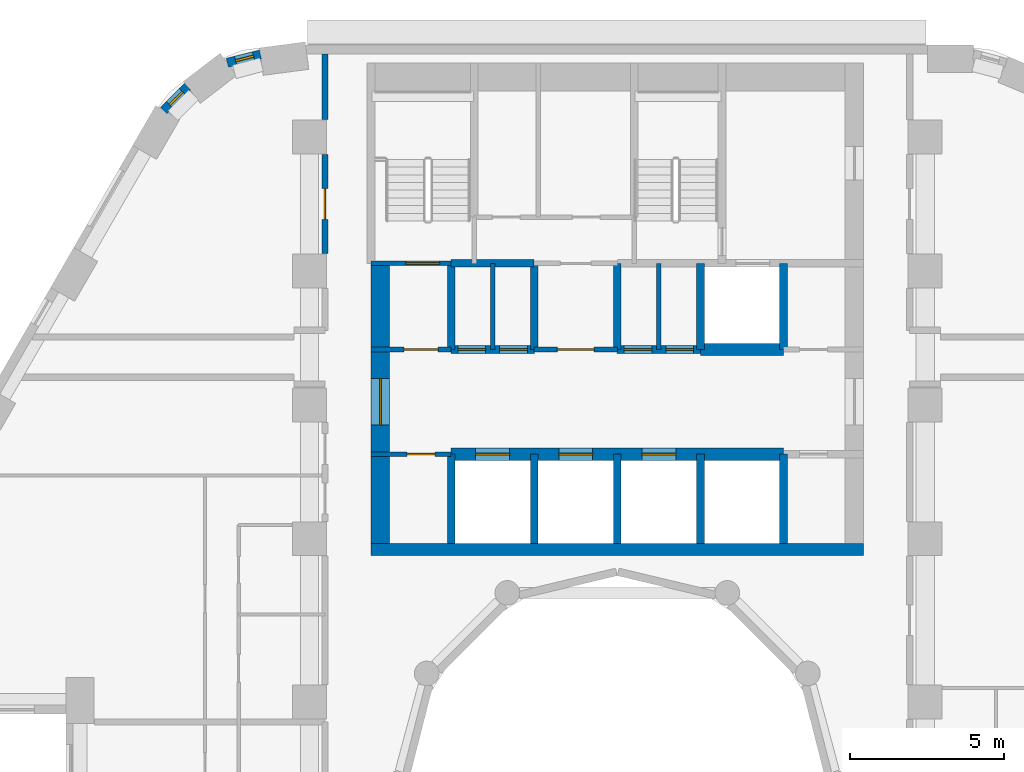
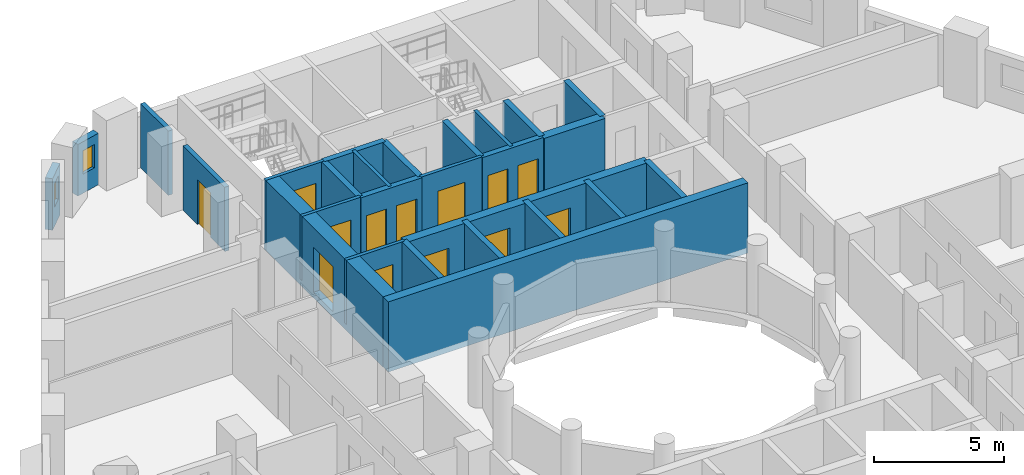
# One storey, part 7 of 12: 27 walls, 13 doors, 2 windows, 15 openings.
"""IFC4 building model written with IfcOpenShell, lengths in metres."""

from ifc_helpers import new_model, si_unit, direction, frame, frame_2d, origin, place, context, subcontext, project, spatial, rectangle, extrude, material, layer, layer_set, type_object, element, fill, save


model = new_model("IFC4")

# Units and contexts
model_context = context("Model", 3, precision=1e-05, world=origin(), true_north=direction((0.0, 1.0)))
body_context = subcontext(model_context, "Body", "Model", "MODEL_VIEW")
ifc_project = project(units=[si_unit("LENGTHUNIT", "METRE"), si_unit("AREAUNIT", "SQUARE_METRE"), si_unit("VOLUMEUNIT", "CUBIC_METRE"), si_unit("PLANEANGLEUNIT", "RADIAN"), si_unit("MASSUNIT", "GRAM", prefix="KILO")], contexts=[model_context])

# Site, building, storey
site_placement = place(None, origin())
site = spatial("IfcSite", under=ifc_project, at=site_placement, CompositionType="ELEMENT")
building_placement = place(site_placement, origin())
building = spatial("IfcBuilding", under=site, at=building_placement, Name="Nakaniwa Court", CompositionType="ELEMENT")
storey_placement = place(building_placement, frame((0.0, 0.0, 54.60009765625)))
storey = spatial("IfcBuildingStorey", under=building, at=storey_placement, Name="L14", CompositionType="ELEMENT", Elevation=54.60009765625)

# Wall, opening, door
ifc_material_1 = material(Name="Acoustic double stud partition")
ifc_layer_1 = layer(ifc_material_1, 0.199951171875)
ifc_layer_set_1 = layer_set([ifc_layer_1], Name="Acoustic double stud partition")
wall_type_1 = type_object("IfcWallType", Name="Acoustic double stud partition 200", PredefinedType="PARTITIONING", material=ifc_layer_set_1)
wall_1_placement = place(storey_placement, frame((70.5, 97.217041015625, 0.0), z_axis=(0.0, 0.0, 1.0), x_axis=(0.0, 1.0, 0.0)))
wall_1 = element("IfcWall", 1, at=wall_1_placement, inside=storey, type_object=wall_type_1, Name="Partition PW-109", PredefinedType="PARTITIONING", context=body_context, shape_type="SweptSolid", body=[
    extrude(rectangle(XDim=3.216064453125, YDim=0.199951171875, at=frame_2d((1.60791015625, 0.0))), origin(), (0.0, 0.0, 1.0), 3.02490234375),
])
opening_1_placement = place(wall_1_placement, frame((1.10791015625, 0.0, 0.0)))
opening_1 = element("IfcOpeningElement", 2, at=opening_1_placement, cuts=wall_1, Name="Opening D-02-04", PredefinedType="OPENING", context=body_context, shape_type="SweptSolid", body=[
    extrude(rectangle(XDim=1.0, YDim=2.10009765625, at=frame_2d((0.5, 1.050048828125))), frame((0.0, 0.10986328125, 0.0), z_axis=(0.0, -1.0, 0.0), x_axis=(1.0, 0.0, 0.0)), (0.0, 0.0, 1.0), 0.219970703125),
])
ifc_material_2 = material(Name="Solid core timber door set, black veneer", Category="wood")
door_type_1 = type_object("IfcDoorType", Name="Internal door 1000", OperationType="NOTDEFINED", PredefinedType="DOOR", material=ifc_material_2)
door_1_placement = place(opening_1_placement, origin())
door_1 = element("IfcDoor", 3, at=door_1_placement, inside=storey, type_object=door_type_1, Name="Door D-02-04 L14-052", OperationType="SINGLE_SWING_LEFT", OverallHeight=2.10009765625, OverallWidth=1.0, PredefinedType="DOOR", context=body_context, shape_type="SweptSolid", body=[
    extrude(rectangle(XDim=1.0, YDim=2.10009765625, at=frame_2d((0.5, 1.050048828125))), frame((0.0, 0.02490234375, 0.0), z_axis=(0.0, -1.0, 0.0), x_axis=(1.0, 0.0, 0.0)), (0.0, 0.0, 1.0), 0.050048828125),
])
fill(opening_1, door_1)

# Wall
wall_2_placement = place(storey_placement, frame((70.5, 101.56689453125, 0.0), z_axis=(0.0, 0.0, 1.0), x_axis=(0.0, 1.0, 0.0)))
element("IfcWall", 4, at=wall_2_placement, inside=storey, type_object=wall_type_1, Name="Partition PW-110", PredefinedType="PARTITIONING", context=body_context, shape_type="SweptSolid", body=[
    extrude(rectangle(XDim=2.133056640625, YDim=0.199951171875, at=frame_2d((1.06640625, 0.0))), origin(), (0.0, 0.0, 1.0), 3.02490234375),
])

# Wall, opening, window
ifc_material_3 = material(Name="Charcoal ceramic cladding")
ifc_layer_2 = layer(ifc_material_3, 0.02, Name="Ceramic cladding")
ifc_material_4 = material(Name="Ventilated air cavity")
ifc_layer_3 = layer(ifc_material_4, 0.04, ventilated=True, Name="Ventilated cavity")
ifc_material_5 = material(Name="Mineral wool insulation")
ifc_layer_4 = layer(ifc_material_5, 0.1, Name="Insulation")
ifc_material_6 = material(Name="Cement bonded sheathing board")
ifc_layer_5 = layer(ifc_material_6, 0.012, Name="Sheathing")
ifc_material_7 = material(Name="Cold-formed galvanised stud frame with mineral wool infill")
ifc_layer_6 = layer(ifc_material_7, 0.1, Name="Stud frame")
ifc_material_8 = material(Name="Fire-rated gypsum plasterboard lining")
ifc_layer_7 = layer(ifc_material_8, 0.028, Name="Lining")
ifc_layer_set_2 = layer_set([ifc_layer_2, ifc_layer_3, ifc_layer_4, ifc_layer_5, ifc_layer_6, ifc_layer_7], Name="Charcoal ceramic faced external wall system")
wall_type_2 = type_object("IfcWallType", Name="Black ceramic faced external wall 300", PredefinedType="SOLIDWALL", material=ifc_layer_set_2)
wall_3_placement = place(storey_placement, frame((68.4052734375, 103.68310546875, 0.0), z_axis=(0.0, 0.0, 1.0), x_axis=(-0.969766298956, -0.244035500304, 0.0)))
wall_3 = element("IfcWall", 5, at=wall_3_placement, inside=storey, type_object=wall_type_2, Name="L14 external wall 09", PredefinedType="SOLIDWALL", context=body_context, shape_type="SweptSolid", body=[
    extrude(rectangle(XDim=1.110595703125, YDim=0.300048828125, at=frame_2d((0.55517578125, 0.0))), origin(), (0.0, 0.0, 1.0), 2.4248046875),
])
opening_2_placement = place(wall_3_placement, frame((0.230712890625, 0.0, 0.89990234375)))
opening_2 = element("IfcOpeningElement", 6, at=opening_2_placement, cuts=wall_3, Name="Opening W8.07", PredefinedType="OPENING", context=body_context, shape_type="SweptSolid", body=[
    extrude(rectangle(XDim=0.60009765625, YDim=1.10009765625, at=frame_2d((0.300048828125, 0.550048828125))), frame((0.0, 0.159912109375, 0.0), z_axis=(0.0, -1.0, 0.0), x_axis=(1.0, 0.0, 0.0)), (0.0, 0.0, 1.0), 0.320068359375),
])
ifc_material_9 = material(Name="Black anodised aluminium frame with dark low-E laminated double glazing", Category="aluminium")
window_type = type_object("IfcWindowType", Name="Dark glass window 600x1100 sill 900", PartitioningType="SINGLE_PANEL", PredefinedType="WINDOW", material=ifc_material_9)
window_1_placement = place(opening_2_placement, origin())
window_1 = element("IfcWindow", 7, at=window_1_placement, inside=storey, type_object=window_type, Name="L14 habitable room window 09-0", OverallHeight=1.10009765625, OverallWidth=0.60009765625, PartitioningType="SINGLE_PANEL", PredefinedType="WINDOW", context=body_context, shape_type="SweptSolid", body=[
    extrude(rectangle(XDim=0.60009765625, YDim=1.10009765625, at=frame_2d((0.300048828125, 0.550048828125))), frame((0.0, 0.030029296875, 0.0), z_axis=(0.0, -1.0, 0.0), x_axis=(1.0, 0.0, 0.0)), (0.0, 0.0, 1.0), 0.06005859375),
])
fill(opening_2, window_1)

wall_4_placement = place(storey_placement, frame((66.04150390625, 102.637451171875, 0.0), z_axis=(0.0, 0.0, 1.0), x_axis=(-0.708892395813, -0.705316646024, 0.0)))
wall_4 = element("IfcWall", 8, at=wall_4_placement, inside=storey, type_object=wall_type_2, Name="L14 external wall 10", PredefinedType="SOLIDWALL", context=body_context, shape_type="SweptSolid", body=[
    extrude(rectangle(XDim=1.092529296875, YDim=0.300048828125, at=frame_2d((0.54638671875, 0.0))), origin(), (0.0, 0.0, 1.0), 2.4248046875),
])
opening_3_placement = place(wall_4_placement, frame((0.23583984375, 0.0, 0.89990234375)))
opening_3 = element("IfcOpeningElement", 9, at=opening_3_placement, cuts=wall_4, Name="Opening W8.08", PredefinedType="OPENING", context=body_context, shape_type="SweptSolid", body=[
    extrude(rectangle(XDim=0.60009765625, YDim=1.10009765625, at=frame_2d((0.300048828125, 0.550048828125))), frame((0.0, 0.159912109375, 0.0), z_axis=(0.0, -1.0, 0.0), x_axis=(1.0, 0.0, 0.0)), (0.0, 0.0, 1.0), 0.320068359375),
])
window_2_placement = place(opening_3_placement, origin())
window_2 = element("IfcWindow", 10, at=window_2_placement, inside=storey, type_object=window_type, Name="L14 habitable room window 10-0", OverallHeight=1.10009765625, OverallWidth=0.60009765625, PartitioningType="SINGLE_PANEL", PredefinedType="WINDOW", context=body_context, shape_type="SweptSolid", body=[
    extrude(rectangle(XDim=0.60009765625, YDim=1.10009765625, at=frame_2d((0.300048828125, 0.550048828125))), frame((0.0, 0.030029296875, 0.0), z_axis=(0.0, -1.0, 0.0), x_axis=(1.0, 0.0, 0.0)), (0.0, 0.0, 1.0), 0.06005859375),
])
fill(opening_3, window_2)

# Wall, opening, door
ifc_material_10 = material(Name="Blockwork partition", Category="masonry")
ifc_layer_8 = layer(ifc_material_10, 0.14990234375)
ifc_layer_set_3 = layer_set([ifc_layer_8], Name="Blockwork partition")
wall_type_3 = type_object("IfcWallType", Name="Blockwork partition 150", PredefinedType="PARTITIONING", material=ifc_layer_set_3)
wall_5_placement = place(storey_placement, frame((74.60009765625, 90.699951171875, 0.0), z_axis=(0.0, 0.0, 1.0), x_axis=(-1.0, 0.0, 0.0)))
wall_5 = element("IfcWall", 11, at=wall_5_placement, inside=storey, type_object=wall_type_3, Name="Partition PW-003", PredefinedType="PARTITIONING", context=body_context, shape_type="SweptSolid", body=[
    extrude(rectangle(XDim=2.60009765625, YDim=0.14990234375, at=frame_2d((1.300048828125, 0.0))), origin(), (0.0, 0.0, 1.0), 3.02490234375),
])
opening_4_placement = place(wall_5_placement, frame((0.52490234375, 0.0, 0.0)))
opening_4 = element("IfcOpeningElement", 12, at=opening_4_placement, cuts=wall_5, Name="Opening D-05-01", PredefinedType="OPENING", context=body_context, shape_type="SweptSolid", body=[
    extrude(rectangle(XDim=0.89990234375, YDim=2.10009765625, at=frame_2d((0.449951171875, 1.050048828125))), frame((0.0, 0.0849609375, 0.0), z_axis=(0.0, -1.0, 0.0), x_axis=(1.0, 0.0, 0.0)), (0.0, 0.0, 1.0), 0.169921875),
])
ifc_material_11 = material(Name="Fire rated steel door set", Category="steel")
door_type_2 = type_object("IfcDoorType", Name="Service room door 900", OperationType="NOTDEFINED", PredefinedType="DOOR", material=ifc_material_11)
door_2_placement = place(opening_4_placement, origin())
door_2 = element("IfcDoor", 13, at=door_2_placement, inside=storey, type_object=door_type_2, Name="Door D-05-01 L14-001", OperationType="SINGLE_SWING_RIGHT", OverallHeight=2.10009765625, OverallWidth=0.89990234375, PredefinedType="DOOR", context=body_context, shape_type="SweptSolid", body=[
    extrude(rectangle(XDim=0.89990234375, YDim=2.10009765625, at=frame_2d((0.449951171875, 1.050048828125))), frame((0.0, 0.02490234375, 0.0), z_axis=(0.0, -1.0, 0.0), x_axis=(1.0, 0.0, 0.0)), (0.0, 0.0, 1.0), 0.050048828125),
])
fill(opening_4, door_2)

wall_6_placement = place(storey_placement, frame((72.0, 94.10009765625, 0.0), z_axis=(0.0, 0.0, 1.0), x_axis=(1.0, 0.0, 0.0)))
wall_6 = element("IfcWall", 14, at=wall_6_placement, inside=storey, type_object=wall_type_3, Name="Partition PW-016", PredefinedType="PARTITIONING", context=body_context, shape_type="SweptSolid", body=[
    extrude(rectangle(XDim=2.60302734375, YDim=0.14990234375, at=frame_2d((1.301513671875, 0.0))), origin(), (0.0, 0.0, 1.0), 3.02490234375),
])
opening_5_placement = place(wall_6_placement, frame((1.074951171875, 0.0, 0.0)))
opening_5 = element("IfcOpeningElement", 15, at=opening_5_placement, cuts=wall_6, Name="Opening D-08-01", PredefinedType="OPENING", context=body_context, shape_type="SweptSolid", body=[
    extrude(rectangle(XDim=1.10009765625, YDim=2.10009765625, at=frame_2d((0.550048828125, 1.050048828125))), frame((0.0, 0.0849609375, 0.0), z_axis=(0.0, -1.0, 0.0), x_axis=(1.0, 0.0, 0.0)), (0.0, 0.0, 1.0), 0.169921875),
])
door_type_3 = type_object("IfcDoorType", Name="Stair lobby door 1100", OperationType="NOTDEFINED", PredefinedType="DOOR", material=ifc_material_11)
door_3_placement = place(opening_5_placement, origin())
door_3 = element("IfcDoor", 16, at=door_3_placement, inside=storey, type_object=door_type_3, Name="Door D-08-01 L14-003", OperationType="SINGLE_SWING_RIGHT", OverallHeight=2.10009765625, OverallWidth=1.10009765625, PredefinedType="DOOR", context=body_context, shape_type="SweptSolid", body=[
    extrude(rectangle(XDim=1.10009765625, YDim=2.10009765625, at=frame_2d((0.550048828125, 1.050048828125))), frame((0.0, 0.02490234375, 0.0), z_axis=(0.0, -1.0, 0.0), x_axis=(1.0, 0.0, 0.0)), (0.0, 0.0, 1.0), 0.050048828125),
])
fill(opening_5, door_3)

wall_7_placement = place(storey_placement, frame((77.297119140625, 94.10009765625, 0.0), z_axis=(0.0, 0.0, 1.0), x_axis=(1.0, 0.0, 0.0)))
wall_7 = element("IfcWall", 17, at=wall_7_placement, inside=storey, type_object=wall_type_3, Name="Partition PW-017", PredefinedType="PARTITIONING", context=body_context, shape_type="SweptSolid", body=[
    extrude(rectangle(XDim=2.705810546875, YDim=0.14990234375, at=frame_2d((1.35302734375, 0.0))), origin(), (0.0, 0.0, 1.0), 3.02490234375),
])
opening_6_placement = place(wall_7_placement, frame((0.7529296875, 0.0, 0.0)))
opening_6 = element("IfcOpeningElement", 18, at=opening_6_placement, cuts=wall_7, Name="Opening D-06-01", PredefinedType="OPENING", context=body_context, shape_type="SweptSolid", body=[
    extrude(rectangle(XDim=1.199951171875, YDim=2.10009765625, at=frame_2d((0.60009765625, 1.050048828125))), frame((0.0, 0.0849609375, 0.0), z_axis=(0.0, -1.0, 0.0), x_axis=(1.0, 0.0, 0.0)), (0.0, 0.0, 1.0), 0.169921875),
])
ifc_material_12 = material(Name="Fire rated steel double door set", Category="steel")
door_type_4 = type_object("IfcDoorType", Name="Service passage double door 1200", OperationType="NOTDEFINED", PredefinedType="DOOR", material=ifc_material_12)
door_4_placement = place(opening_6_placement, origin())
door_4 = element("IfcDoor", 19, at=door_4_placement, inside=storey, type_object=door_type_4, Name="Door D-06-01 L14-006", OperationType="DOUBLE_DOOR_SINGLE_SWING", OverallHeight=2.10009765625, OverallWidth=1.199951171875, PredefinedType="DOOR", context=body_context, shape_type="SweptSolid", body=[
    extrude(rectangle(XDim=1.199951171875, YDim=2.10009765625, at=frame_2d((0.60009765625, 1.050048828125))), frame((0.0, 0.02490234375, 0.0), z_axis=(0.0, -1.0, 0.0), x_axis=(1.0, 0.0, 0.0)), (0.0, 0.0, 1.0), 0.050048828125),
])
fill(opening_6, door_4)

# Walls
for number, where, z_axis, x_axis, name in (
    (20, (75.949951171875, 94.10009765625, 0.0), (0.0, 0.0, 1.0), (0.0, 1.0, 0.0), "Partition PW-023"),
    (21, (81.35009765625, 94.10009765625, 0.0), (0.0, 0.0, 1.0), (0.0, 1.0, 0.0), "Partition PW-027"),
):
    element("IfcWall", number, at=place(storey_placement, frame(where, z_axis=z_axis, x_axis=x_axis)), inside=storey, type_object=wall_type_3, Name=name, PredefinedType="PARTITIONING", context=body_context, shape_type="SweptSolid", body=[
        extrude(rectangle(XDim=2.7998046875, YDim=0.14990234375, at=frame_2d((1.39990234375, 0.0))), origin(), (0.0, 0.0, 1.0), 3.02490234375),
    ])

# Wall, opening, door
ifc_material_13 = material(Name="Concrete C100/115", Category="concrete")
ifc_layer_9 = layer(ifc_material_13, 0.60009765625)
ifc_layer_set_4 = layer_set([ifc_layer_9], Name="Concrete C100/115")
wall_type_4 = type_object("IfcWallType", Name="Concrete core side wall 600 C100", PredefinedType="SHEAR", material=ifc_layer_set_4)
wall_8_placement = place(storey_placement, frame((72.300048828125, 87.800048828125, -0.275146484375), z_axis=(0.0, 0.0, 1.0), x_axis=(0.0, 1.0, 0.0)))
wall_8 = element("IfcWall", 22, at=wall_8_placement, inside=storey, type_object=wall_type_4, Name="Core wall SW-04", PredefinedType="SHEAR", context=body_context, shape_type="SweptSolid", body=[
    extrude(rectangle(XDim=9.099853515625, YDim=0.60009765625, at=frame_2d((4.5498046875, 0.0))), origin(), (0.0, 0.0, 1.0), 3.300048828125),
])
opening_7_placement = place(wall_8_placement, frame((3.85009765625, 0.0, 0.27490234375)))
opening_7 = element("IfcOpeningElement", 23, at=opening_7_placement, cuts=wall_8, Name="Opening D-07-02", PredefinedType="OPENING", context=body_context, shape_type="SweptSolid", body=[
    extrude(rectangle(XDim=1.5, YDim=2.10009765625, at=frame_2d((0.75, 1.050048828125))), frame((0.0, 0.31005859375, 0.0), z_axis=(0.0, -1.0, 0.0), x_axis=(1.0, 0.0, 0.0)), (0.0, 0.0, 1.0), 0.6201171875),
])
ifc_material_14 = material(Name="Glazed fire rated steel double door set", Category="steel")
door_type_5 = type_object("IfcDoorType", Name="Lobby double door 1500", OperationType="NOTDEFINED", PredefinedType="DOOR", material=ifc_material_14)
door_5_placement = place(opening_7_placement, origin())
door_5 = element("IfcDoor", 24, at=door_5_placement, inside=storey, type_object=door_type_5, Name="Door D-07-02 L14-057", OperationType="DOUBLE_DOOR_SINGLE_SWING", OverallHeight=2.10009765625, OverallWidth=1.5, PredefinedType="DOOR", context=body_context, shape_type="SweptSolid", body=[
    extrude(rectangle(XDim=1.5, YDim=2.10009765625, at=frame_2d((0.75, 1.050048828125))), frame((0.0, 0.02490234375, 0.0), z_axis=(0.0, -1.0, 0.0), x_axis=(1.0, 0.0, 0.0)), (0.0, 0.0, 1.0), 0.050048828125),
])
fill(opening_7, door_5)

# Wall, openings, doors
ifc_layer_10 = layer(ifc_material_13, 0.39990234375)
ifc_layer_set_5 = layer_set([ifc_layer_10], Name="Concrete C100/115")
wall_type_5 = type_object("IfcWallType", Name="Concrete core spine wall 400 C100", PredefinedType="SHEAR", material=ifc_layer_set_5)
wall_9_placement = place(storey_placement, frame((74.60009765625, 90.699951171875, -0.275146484375), z_axis=(0.0, 0.0, 1.0), x_axis=(1.0, 0.0, 0.0)))
wall_9 = element("IfcWall", 25, at=wall_9_placement, inside=storey, type_object=wall_type_5, Name="Core wall SW-07", PredefinedType="SHEAR", context=body_context, shape_type="SweptSolid", body=[
    extrude(rectangle(XDim=10.7998046875, YDim=0.39990234375, at=frame_2d((5.39990234375, 0.0))), origin(), (0.0, 0.0, 1.0), 3.300048828125),
])
opening_8_placement = place(wall_9_placement, frame((0.800048828125, 0.0, 0.27490234375)))
opening_8 = element("IfcOpeningElement", 26, at=opening_8_placement, cuts=wall_9, Name="Opening LD01", PredefinedType="OPENING", context=body_context, shape_type="SweptSolid", body=[
    extrude(rectangle(XDim=1.10009765625, YDim=2.10009765625, at=frame_2d((0.550048828125, 1.050048828125))), frame((0.0, 0.2099609375, 0.0), z_axis=(0.0, -1.0, 0.0), x_axis=(1.0, 0.0, 0.0)), (0.0, 0.0, 1.0), 0.419921875),
])
opening_9_placement = place(wall_9_placement, frame((3.5, 0.0, 0.27490234375)))
opening_9 = element("IfcOpeningElement", 27, at=opening_9_placement, cuts=wall_9, Name="Opening LD02", PredefinedType="OPENING", context=body_context, shape_type="SweptSolid", body=[
    extrude(rectangle(XDim=1.10009765625, YDim=2.10009765625, at=frame_2d((0.550048828125, 1.050048828125))), frame((0.0, 0.2099609375, 0.0), z_axis=(0.0, -1.0, 0.0), x_axis=(1.0, 0.0, 0.0)), (0.0, 0.0, 1.0), 0.419921875),
])
opening_10_placement = place(wall_9_placement, frame((6.199951171875, 0.0, 0.27490234375)))
opening_10 = element("IfcOpeningElement", 28, at=opening_10_placement, cuts=wall_9, Name="Opening LD03", PredefinedType="OPENING", context=body_context, shape_type="SweptSolid", body=[
    extrude(rectangle(XDim=1.10009765625, YDim=2.10009765625, at=frame_2d((0.550048828125, 1.050048828125))), frame((0.0, 0.2099609375, 0.0), z_axis=(0.0, -1.0, 0.0), x_axis=(1.0, 0.0, 0.0)), (0.0, 0.0, 1.0), 0.419921875),
])
ifc_material_15 = material(Name="Stainless steel sliding lift landing door", Category="steel")
door_type_6 = type_object("IfcDoorType", Name="Lift landing door 1100", OperationType="NOTDEFINED", PredefinedType="DOOR", material=ifc_material_15)
door_6_placement = place(opening_8_placement, origin())
door_6 = element("IfcDoor", 29, at=door_6_placement, inside=storey, type_object=door_type_6, Name="Lift landing door LD01 L14-001", OperationType="SLIDING_TO_LEFT", OverallHeight=2.10009765625, OverallWidth=1.10009765625, PredefinedType="DOOR", context=body_context, shape_type="SweptSolid", body=[
    extrude(rectangle(XDim=1.10009765625, YDim=2.10009765625, at=frame_2d((0.550048828125, 1.050048828125))), frame((0.0, 0.02490234375, 0.0), z_axis=(0.0, -1.0, 0.0), x_axis=(1.0, 0.0, 0.0)), (0.0, 0.0, 1.0), 0.050048828125),
])
fill(opening_8, door_6)
door_7_placement = place(opening_9_placement, origin())
door_7 = element("IfcDoor", 30, at=door_7_placement, inside=storey, type_object=door_type_6, Name="Lift landing door LD02 L14-002", OperationType="SLIDING_TO_LEFT", OverallHeight=2.10009765625, OverallWidth=1.10009765625, PredefinedType="DOOR", context=body_context, shape_type="SweptSolid", body=[
    extrude(rectangle(XDim=1.10009765625, YDim=2.10009765625, at=frame_2d((0.550048828125, 1.050048828125))), frame((0.0, 0.02490234375, 0.0), z_axis=(0.0, -1.0, 0.0), x_axis=(1.0, 0.0, 0.0)), (0.0, 0.0, 1.0), 0.050048828125),
])
fill(opening_9, door_7)
door_8_placement = place(opening_10_placement, origin())
door_8 = element("IfcDoor", 31, at=door_8_placement, inside=storey, type_object=door_type_6, Name="Lift landing door LD03 L14-003", OperationType="SLIDING_TO_LEFT", OverallHeight=2.10009765625, OverallWidth=1.10009765625, PredefinedType="DOOR", context=body_context, shape_type="SweptSolid", body=[
    extrude(rectangle(XDim=1.10009765625, YDim=2.10009765625, at=frame_2d((0.550048828125, 1.050048828125))), frame((0.0, 0.02490234375, 0.0), z_axis=(0.0, -1.0, 0.0), x_axis=(1.0, 0.0, 0.0)), (0.0, 0.0, 1.0), 0.050048828125),
])
fill(opening_10, door_8)

# Wall
wall_10_placement = place(storey_placement, frame((82.697021484375, 94.10009765625, -0.275146484375), z_axis=(0.0, 0.0, 1.0), x_axis=(1.0, 0.0, 0.0)))
element("IfcWall", 32, at=wall_10_placement, inside=storey, type_object=wall_type_5, Name="Core wall SW-21", PredefinedType="SHEAR", context=body_context, shape_type="SweptSolid", body=[
    extrude(rectangle(XDim=2.7060546875, YDim=0.39990234375, at=frame_2d((1.35302734375, 0.0))), origin(), (0.0, 0.0, 1.0), 3.300048828125),
])

# Wall, opening, door
ifc_layer_11 = layer(ifc_material_13, 0.14990234375)
ifc_layer_set_6 = layer_set([ifc_layer_11], Name="Concrete C100/115")
wall_type_6 = type_object("IfcWallType", Name="Concrete core wall 150 C100", PredefinedType="SHEAR", material=ifc_layer_set_6)
wall_11_placement = place(storey_placement, frame((74.60009765625, 96.89990234375, -0.275146484375), z_axis=(0.0, 0.0, 1.0), x_axis=(-1.0, 0.0, 0.0)))
wall_11 = element("IfcWall", 33, at=wall_11_placement, inside=storey, type_object=wall_type_6, Name="Core wall SW-22", PredefinedType="SHEAR", context=body_context, shape_type="SweptSolid", body=[
    extrude(rectangle(XDim=2.60009765625, YDim=0.14990234375, at=frame_2d((1.300048828125, 0.0))), origin(), (0.0, 0.0, 1.0), 3.300048828125),
])
opening_11_placement = place(wall_11_placement, frame((0.3701171875, 0.0, 0.27490234375)))
opening_11 = element("IfcOpeningElement", 34, at=opening_11_placement, cuts=wall_11, Name="Opening D-09-01", PredefinedType="OPENING", context=body_context, shape_type="SweptSolid", body=[
    extrude(rectangle(XDim=1.10009765625, YDim=2.10009765625, at=frame_2d((0.550048828125, 1.050048828125))), frame((0.0, 0.0849609375, 0.0), z_axis=(0.0, -1.0, 0.0), x_axis=(1.0, 0.0, 0.0)), (0.0, 0.0, 1.0), 0.169921875),
])
door_type_7 = type_object("IfcDoorType", Name="Stair door 1100", OperationType="NOTDEFINED", PredefinedType="DOOR", material=ifc_material_11)
door_9_placement = place(opening_11_placement, origin())
door_9 = element("IfcDoor", 35, at=door_9_placement, inside=storey, type_object=door_type_7, Name="Door D-09-01 L14-013", OperationType="SINGLE_SWING_LEFT", OverallHeight=2.10009765625, OverallWidth=1.10009765625, PredefinedType="DOOR", context=body_context, shape_type="SweptSolid", body=[
    extrude(rectangle(XDim=1.10009765625, YDim=2.10009765625, at=frame_2d((0.550048828125, 1.050048828125))), frame((0.0, 0.02490234375, 0.0), z_axis=(0.0, -1.0, 0.0), x_axis=(1.0, 0.0, 0.0)), (0.0, 0.0, 1.0), 0.050048828125),
])
fill(opening_11, door_9)

# Walls
ifc_layer_12 = layer(ifc_material_13, 0.39990234375)
ifc_layer_set_7 = layer_set([ifc_layer_12], Name="Concrete C100/115")
wall_type_7 = type_object("IfcWallType", Name="Concrete core well wall 400 C100", PredefinedType="SHEAR", material=ifc_layer_set_7)
wall_12_placement = place(storey_placement, frame((72.00390625, 87.60009765625, -0.275146484375), z_axis=(0.0, 0.0, 1.0), x_axis=(1.0, 0.0, 0.0)))
element("IfcWall", 36, at=wall_12_placement, inside=storey, type_object=wall_type_7, Name="Core wall SW-133", PredefinedType="SHEAR", context=body_context, shape_type="SweptSolid", body=[
    extrude(rectangle(XDim=15.9921875, YDim=0.39990234375, at=frame_2d((7.99609375, 0.0))), origin(), (0.0, 0.0, 1.0), 3.300048828125),
])
ifc_layer_13 = layer(ifc_material_13, 0.25)
ifc_layer_set_8 = layer_set([ifc_layer_13], Name="Concrete C100/115")
wall_type_8 = type_object("IfcWallType", Name="Concrete shaft wall 250 C100", PredefinedType="SHEAR", material=ifc_layer_set_8)
wall_13_placement = place(storey_placement, frame((74.60009765625, 87.800048828125, -0.275146484375), z_axis=(0.0, 0.0, 1.0), x_axis=(0.0, 1.0, 0.0)))
element("IfcWall", 37, at=wall_13_placement, inside=storey, type_object=wall_type_8, Name="Core wall SW-01", PredefinedType="SHEAR", context=body_context, shape_type="SweptSolid", body=[
    extrude(rectangle(XDim=2.89990234375, YDim=0.25, at=frame_2d((1.449951171875, 0.0))), origin(), (0.0, 0.0, 1.0), 3.300048828125),
])
wall_14_placement = place(storey_placement, frame((74.60009765625, 94.10009765625, -0.275146484375), z_axis=(0.0, 0.0, 1.0), x_axis=(0.0, 1.0, 0.0)))
element("IfcWall", 38, at=wall_14_placement, inside=storey, type_object=wall_type_8, Name="Core wall SW-02", PredefinedType="SHEAR", context=body_context, shape_type="SweptSolid", body=[
    extrude(rectangle(XDim=2.7998046875, YDim=0.25, at=frame_2d((1.39990234375, 0.0))), origin(), (0.0, 0.0, 1.0), 3.300048828125),
])
wall_15_placement = place(storey_placement, frame((77.300048828125, 87.800048828125, -0.275146484375), z_axis=(0.0, 0.0, 1.0), x_axis=(0.0, 1.0, 0.0)))
element("IfcWall", 39, at=wall_15_placement, inside=storey, type_object=wall_type_8, Name="Core wall SW-05", PredefinedType="SHEAR", context=body_context, shape_type="SweptSolid", body=[
    extrude(rectangle(XDim=2.89990234375, YDim=0.25, at=frame_2d((1.449951171875, 0.0))), origin(), (0.0, 0.0, 1.0), 3.300048828125),
])
wall_16_placement = place(storey_placement, frame((77.300048828125, 94.10009765625, -0.275146484375), z_axis=(0.0, 0.0, 1.0), x_axis=(0.0, 1.0, 0.0)))
element("IfcWall", 40, at=wall_16_placement, inside=storey, type_object=wall_type_8, Name="Core wall SW-06", PredefinedType="SHEAR", context=body_context, shape_type="SweptSolid", body=[
    extrude(rectangle(XDim=2.7998046875, YDim=0.25, at=frame_2d((1.39990234375, 0.0))), origin(), (0.0, 0.0, 1.0), 3.300048828125),
])
wall_17_placement = place(storey_placement, frame((80.0, 87.800048828125, -0.275146484375), z_axis=(0.0, 0.0, 1.0), x_axis=(0.0, 1.0, 0.0)))
element("IfcWall", 41, at=wall_17_placement, inside=storey, type_object=wall_type_8, Name="Core wall SW-08", PredefinedType="SHEAR", context=body_context, shape_type="SweptSolid", body=[
    extrude(rectangle(XDim=2.89990234375, YDim=0.25, at=frame_2d((1.449951171875, 0.0))), origin(), (0.0, 0.0, 1.0), 3.300048828125),
])
wall_18_placement = place(storey_placement, frame((80.0, 94.10009765625, -0.275146484375), z_axis=(0.0, 0.0, 1.0), x_axis=(0.0, 1.0, 0.0)))
element("IfcWall", 42, at=wall_18_placement, inside=storey, type_object=wall_type_8, Name="Core wall SW-09", PredefinedType="SHEAR", context=body_context, shape_type="SweptSolid", body=[
    extrude(rectangle(XDim=2.7998046875, YDim=0.25, at=frame_2d((1.39990234375, 0.0))), origin(), (0.0, 0.0, 1.0), 3.300048828125),
])
wall_19_placement = place(storey_placement, frame((82.699951171875, 87.800048828125, -0.275146484375), z_axis=(0.0, 0.0, 1.0), x_axis=(0.0, 1.0, 0.0)))
element("IfcWall", 43, at=wall_19_placement, inside=storey, type_object=wall_type_8, Name="Core wall SW-10", PredefinedType="SHEAR", context=body_context, shape_type="SweptSolid", body=[
    extrude(rectangle(XDim=2.89990234375, YDim=0.25, at=frame_2d((1.449951171875, 0.0))), origin(), (0.0, 0.0, 1.0), 3.300048828125),
])
wall_20_placement = place(storey_placement, frame((82.699951171875, 94.10009765625, -0.275146484375), z_axis=(0.0, 0.0, 1.0), x_axis=(0.0, 1.0, 0.0)))
element("IfcWall", 44, at=wall_20_placement, inside=storey, type_object=wall_type_8, Name="Core wall SW-11", PredefinedType="SHEAR", context=body_context, shape_type="SweptSolid", body=[
    extrude(rectangle(XDim=2.7998046875, YDim=0.25, at=frame_2d((1.39990234375, 0.0))), origin(), (0.0, 0.0, 1.0), 3.300048828125),
])
wall_21_placement = place(storey_placement, frame((85.39990234375, 87.800048828125, -0.275146484375), z_axis=(0.0, 0.0, 1.0), x_axis=(0.0, 1.0, 0.0)))
element("IfcWall", 45, at=wall_21_placement, inside=storey, type_object=wall_type_8, Name="Core wall SW-12", PredefinedType="SHEAR", context=body_context, shape_type="SweptSolid", body=[
    extrude(rectangle(XDim=2.89990234375, YDim=0.25, at=frame_2d((1.449951171875, 0.0))), origin(), (0.0, 0.0, 1.0), 3.300048828125),
])
wall_22_placement = place(storey_placement, frame((85.39990234375, 94.10009765625, -0.275146484375), z_axis=(0.0, 0.0, 1.0), x_axis=(0.0, 1.0, 0.0)))
element("IfcWall", 46, at=wall_22_placement, inside=storey, type_object=wall_type_8, Name="Core wall SW-13", PredefinedType="SHEAR", context=body_context, shape_type="SweptSolid", body=[
    extrude(rectangle(XDim=2.7998046875, YDim=0.25, at=frame_2d((1.39990234375, 0.0))), origin(), (0.0, 0.0, 1.0), 3.300048828125),
])

# Wall, openings, doors
wall_23_placement = place(storey_placement, frame((74.596923828125, 94.10009765625, -0.275146484375), z_axis=(0.0, 0.0, 1.0), x_axis=(1.0, 0.0, 0.0)))
wall_23 = element("IfcWall", 47, at=wall_23_placement, inside=storey, type_object=wall_type_8, Name="Core wall SW-19", PredefinedType="SHEAR", context=body_context, shape_type="SweptSolid", body=[
    extrude(rectangle(XDim=2.7060546875, YDim=0.25, at=frame_2d((1.35302734375, 0.0))), origin(), (0.0, 0.0, 1.0), 3.300048828125),
])
opening_12_placement = place(wall_23_placement, frame((0.22802734375, 0.0, 0.27490234375)))
opening_12 = element("IfcOpeningElement", 48, at=opening_12_placement, cuts=wall_23, Name="Opening D-05-03", PredefinedType="OPENING", context=body_context, shape_type="SweptSolid", body=[
    extrude(rectangle(XDim=0.89990234375, YDim=2.10009765625, at=frame_2d((0.449951171875, 1.050048828125))), frame((0.0, 0.135009765625, 0.0), z_axis=(0.0, -1.0, 0.0), x_axis=(1.0, 0.0, 0.0)), (0.0, 0.0, 1.0), 0.27001953125),
])
opening_13_placement = place(wall_23_placement, frame((1.577880859375, 0.0, 0.27490234375)))
opening_13 = element("IfcOpeningElement", 49, at=opening_13_placement, cuts=wall_23, Name="Opening D-05-04", PredefinedType="OPENING", context=body_context, shape_type="SweptSolid", body=[
    extrude(rectangle(XDim=0.89990234375, YDim=2.10009765625, at=frame_2d((0.449951171875, 1.050048828125))), frame((0.0, 0.135009765625, 0.0), z_axis=(0.0, -1.0, 0.0), x_axis=(1.0, 0.0, 0.0)), (0.0, 0.0, 1.0), 0.27001953125),
])
door_10_placement = place(opening_12_placement, origin())
door_10 = element("IfcDoor", 50, at=door_10_placement, inside=storey, type_object=door_type_2, Name="Door D-05-03 L14-004", OperationType="SINGLE_SWING_LEFT", OverallHeight=2.10009765625, OverallWidth=0.89990234375, PredefinedType="DOOR", context=body_context, shape_type="SweptSolid", body=[
    extrude(rectangle(XDim=0.89990234375, YDim=2.10009765625, at=frame_2d((0.449951171875, 1.050048828125))), frame((0.0, 0.02490234375, 0.0), z_axis=(0.0, -1.0, 0.0), x_axis=(1.0, 0.0, 0.0)), (0.0, 0.0, 1.0), 0.050048828125),
])
fill(opening_12, door_10)
door_11_placement = place(opening_13_placement, origin())
door_11 = element("IfcDoor", 51, at=door_11_placement, inside=storey, type_object=door_type_2, Name="Door D-05-04 L14-005", OperationType="SINGLE_SWING_RIGHT", OverallHeight=2.10009765625, OverallWidth=0.89990234375, PredefinedType="DOOR", context=body_context, shape_type="SweptSolid", body=[
    extrude(rectangle(XDim=0.89990234375, YDim=2.10009765625, at=frame_2d((0.449951171875, 1.050048828125))), frame((0.0, 0.02490234375, 0.0), z_axis=(0.0, -1.0, 0.0), x_axis=(1.0, 0.0, 0.0)), (0.0, 0.0, 1.0), 0.050048828125),
])
fill(opening_13, door_11)

wall_24_placement = place(storey_placement, frame((79.9970703125, 94.10009765625, -0.275146484375), z_axis=(0.0, 0.0, 1.0), x_axis=(1.0, 0.0, 0.0)))
wall_24 = element("IfcWall", 52, at=wall_24_placement, inside=storey, type_object=wall_type_8, Name="Core wall SW-20", PredefinedType="SHEAR", context=body_context, shape_type="SweptSolid", body=[
    extrude(rectangle(XDim=2.705810546875, YDim=0.25, at=frame_2d((1.35302734375, 0.0))), origin(), (0.0, 0.0, 1.0), 3.300048828125),
])
opening_14_placement = place(wall_24_placement, frame((0.22802734375, 0.0, 0.27490234375)))
opening_14 = element("IfcOpeningElement", 53, at=opening_14_placement, cuts=wall_24, Name="Opening D-05-05", PredefinedType="OPENING", context=body_context, shape_type="SweptSolid", body=[
    extrude(rectangle(XDim=0.89990234375, YDim=2.10009765625, at=frame_2d((0.449951171875, 1.050048828125))), frame((0.0, 0.135009765625, 0.0), z_axis=(0.0, -1.0, 0.0), x_axis=(1.0, 0.0, 0.0)), (0.0, 0.0, 1.0), 0.27001953125),
])
opening_15_placement = place(wall_24_placement, frame((1.577880859375, 0.0, 0.27490234375)))
opening_15 = element("IfcOpeningElement", 54, at=opening_15_placement, cuts=wall_24, Name="Opening D-05-06", PredefinedType="OPENING", context=body_context, shape_type="SweptSolid", body=[
    extrude(rectangle(XDim=0.89990234375, YDim=2.10009765625, at=frame_2d((0.449951171875, 1.050048828125))), frame((0.0, 0.135009765625, 0.0), z_axis=(0.0, -1.0, 0.0), x_axis=(1.0, 0.0, 0.0)), (0.0, 0.0, 1.0), 0.27001953125),
])
door_12_placement = place(opening_14_placement, origin())
door_12 = element("IfcDoor", 55, at=door_12_placement, inside=storey, type_object=door_type_2, Name="Door D-05-05 L14-007", OperationType="SINGLE_SWING_RIGHT", OverallHeight=2.10009765625, OverallWidth=0.89990234375, PredefinedType="DOOR", context=body_context, shape_type="SweptSolid", body=[
    extrude(rectangle(XDim=0.89990234375, YDim=2.10009765625, at=frame_2d((0.449951171875, 1.050048828125))), frame((0.0, 0.02490234375, 0.0), z_axis=(0.0, -1.0, 0.0), x_axis=(1.0, 0.0, 0.0)), (0.0, 0.0, 1.0), 0.050048828125),
])
fill(opening_14, door_12)
door_13_placement = place(opening_15_placement, origin())
door_13 = element("IfcDoor", 56, at=door_13_placement, inside=storey, type_object=door_type_2, Name="Door D-05-06 L14-008", OperationType="SINGLE_SWING_LEFT", OverallHeight=2.10009765625, OverallWidth=0.89990234375, PredefinedType="DOOR", context=body_context, shape_type="SweptSolid", body=[
    extrude(rectangle(XDim=0.89990234375, YDim=2.10009765625, at=frame_2d((0.449951171875, 1.050048828125))), frame((0.0, 0.02490234375, 0.0), z_axis=(0.0, -1.0, 0.0), x_axis=(1.0, 0.0, 0.0)), (0.0, 0.0, 1.0), 0.050048828125),
])
fill(opening_15, door_13)

# Wall
wall_25_placement = place(storey_placement, frame((74.60009765625, 96.89990234375, -0.275146484375), z_axis=(0.0, 0.0, 1.0), x_axis=(1.0, 0.0, 0.0)))
element("IfcWall", 57, at=wall_25_placement, inside=storey, type_object=wall_type_8, Name="Core wall SW-24", PredefinedType="SHEAR", context=body_context, shape_type="SweptSolid", body=[
    extrude(rectangle(XDim=2.699951171875, YDim=0.25, at=frame_2d((1.35009765625, 0.0))), origin(), (0.0, 0.0, 1.0), 3.300048828125),
])

save(model, "model.ifc")
